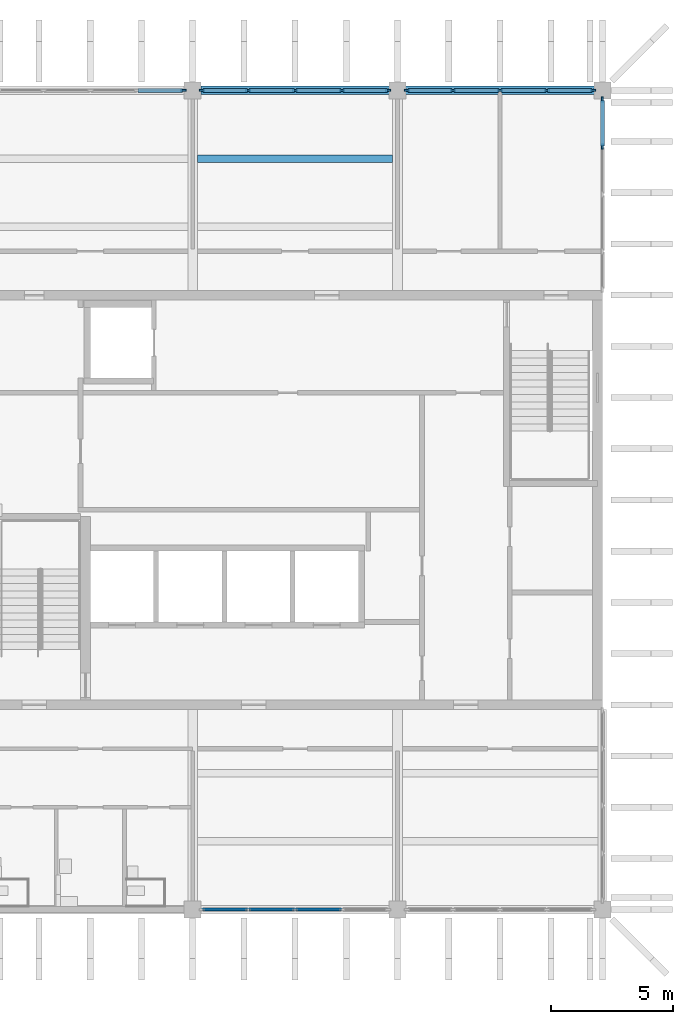
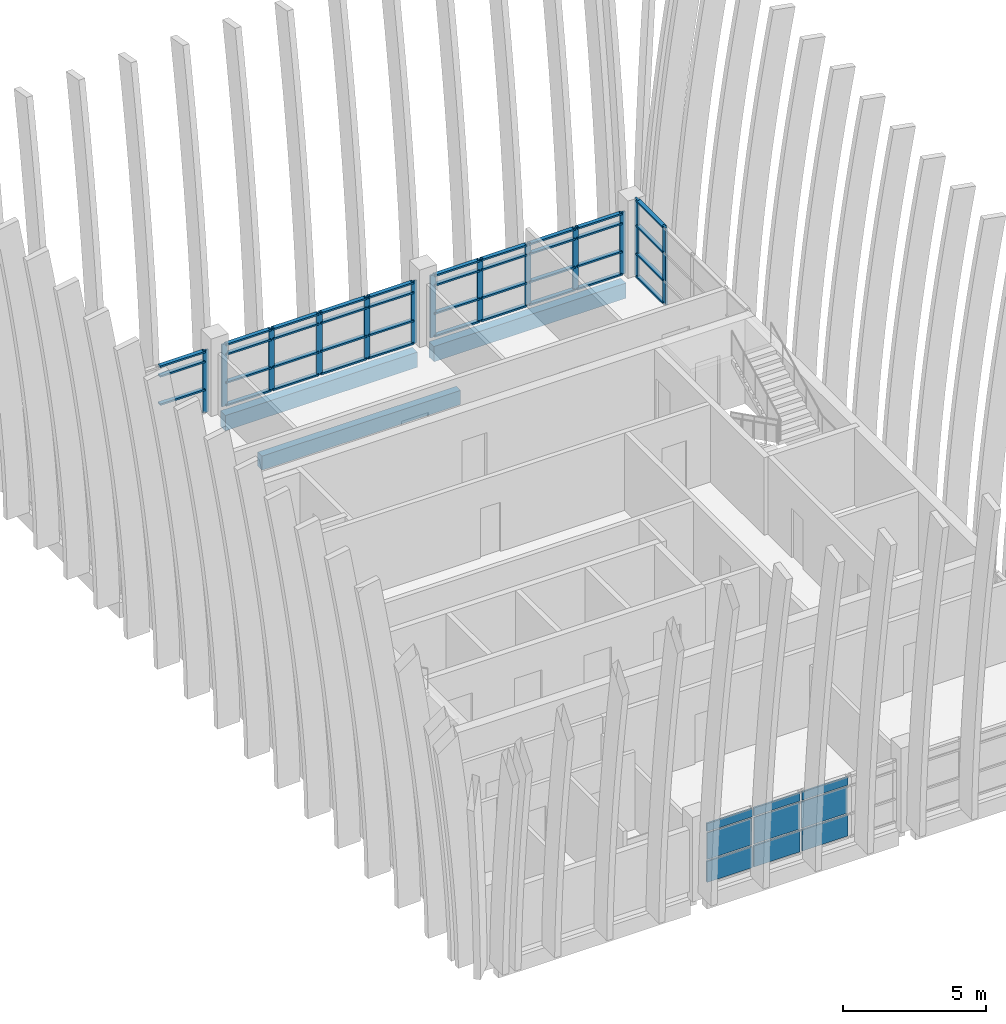
# One storey, part 3 of 19: 52 members, 9 plates, 3 beams, 5 elements without a shape of their own.
"""IFC4 building model written with IfcOpenShell, lengths in metres."""

from ifc_helpers import new_model, si_unit, direction, frame, origin, origin_2d, place, context, subcontext, project, spatial, rectangle, extrude, material, layer, layer_set, material_profile, profile_set, type_object, element, aggregate, save


model = new_model("IFC4")

# Units and contexts
model_context = context("Model", 3, precision=1e-05, world=origin(), true_north=direction((0.0, 1.0)))
body_context = subcontext(model_context, "Body", "Model", "MODEL_VIEW")
ifc_project = project(units=[si_unit("LENGTHUNIT", "METRE"), si_unit("AREAUNIT", "SQUARE_METRE"), si_unit("VOLUMEUNIT", "CUBIC_METRE"), si_unit("PLANEANGLEUNIT", "RADIAN"), si_unit("MASSUNIT", "GRAM", prefix="KILO")], contexts=[model_context])

# Site, building, storey
site_placement = place(None, origin())
site = spatial("IfcSite", under=ifc_project, at=site_placement, CompositionType="ELEMENT")
building_placement = place(site_placement, origin())
building = spatial("IfcBuilding", under=site, at=building_placement, Name="Rulbaag Community and Learning Centre", CompositionType="ELEMENT")
storey_placement = place(building_placement, frame((0.0, 0.0, 57.60009765625)))
storey = spatial("IfcBuildingStorey", under=building, at=storey_placement, Name="L15", CompositionType="ELEMENT", Elevation=57.60009765625)

# Beams
ifc_material_1 = material(Name="Concrete M40", Category="concrete")
ifc_material_profile_1 = material_profile(ifc_material_1, rectangle(XDim=0.35009765625, YDim=0.64990234375, at=origin_2d()), Name="RB350x650")
ifc_profile_set_1 = profile_set([ifc_material_profile_1], Name="Concrete M40")
beam_type_1 = type_object("IfcBeamType", Name="B14 Tower edge beam, upper zone 350x650 Concrete M40", PredefinedType="BEAM", material=ifc_profile_set_1)
for number, where, z_axis, x_axis, name in (
    (1, (151.530029296875, 117.60009765625, -0.625), (1.0, 0.0, 0.0), (0.0, 1.0, 0.0), "BM-L15-19O-20O"),
    (2, (159.929931640625, 117.60009765625, -0.625), (1.0, 0.0, 0.0), (0.0, 1.0, 0.0), "BM-L15-20O-21O"),
):
    element("IfcBeam", number, at=place(storey_placement, frame(where, z_axis=z_axis, x_axis=x_axis)), inside=storey, type_object=beam_type_1, Name=name, PredefinedType="BEAM", context=body_context, shape_type="SweptSolid", body=[
        extrude(rectangle(XDim=0.35009765625, YDim=0.64990234375, at=origin_2d()), origin(), (0.0, 0.0, 1.0), 7.739990234375),
    ])
ifc_material_profile_2 = material_profile(ifc_material_1, rectangle(XDim=0.300048828125, YDim=0.60009765625, at=origin_2d()), Name="RB300x600")
ifc_profile_set_2 = profile_set([ifc_material_profile_2], Name="Concrete M40")
beam_type_2 = type_object("IfcBeamType", Name="B30 Secondary joist 300x600 Concrete M40", PredefinedType="BEAM", material=ifc_profile_set_2)
beam_placement = place(storey_placement, frame((151.39990234375, 114.800048828125, -0.60009765625), z_axis=(1.0, 0.0, 0.0), x_axis=(0.0, 1.0, 0.0)))
element("IfcBeam", 3, at=beam_placement, inside=storey, type_object=beam_type_2, Name="BM-JS-L15-19N-2", PredefinedType="BEAM", context=body_context, shape_type="SweptSolid", body=[
    extrude(rectangle(XDim=0.300048828125, YDim=0.60009765625, at=origin_2d()), origin(), (0.0, 0.0, 1.0), 8.0),
])

# Curtain wall, member
ifc_material_2 = material(Name="Aluminium", Category="aluminium")
ifc_layer_1 = layer(ifc_material_2, 0.14990234375)
ifc_layer_set_1 = layer_set([ifc_layer_1], Name="CW-C")
curtain_wall_type = type_object("IfcCurtainWallType", Name="CW-C", PredefinedType="USERDEFINED", material=ifc_layer_set_1)
curtain_wall_1_placement = place(storey_placement, origin())
curtain_wall_1 = element("IfcCurtainWall", 4, at=curtain_wall_1_placement, inside=storey, type_object=curtain_wall_type, Name="GC-L15-03", ObjectType="UNITISED CURTAIN WALL", PredefinedType="USERDEFINED")
ifc_material_3 = material(Name="Aluminium mullion", Category="aluminium")
ifc_material_profile_3 = material_profile(ifc_material_3, rectangle(XDim=0.070068359375, YDim=0.22509765625, at=origin_2d()), Name="AL 70x225")
ifc_profile_set_3 = profile_set([ifc_material_profile_3], Name="Aluminium mullion")
member_type_1 = type_object("IfcMemberType", Name="CW-C-MUL", PredefinedType="MULLION", material=ifc_profile_set_3)
member_1_placement = place(storey_placement, frame((150.81494140625, 117.60009765625, 0.0), z_axis=(0.0, 0.0, 1.0), x_axis=(0.0, 1.0, 0.0)))
member_1 = element("IfcMember", 5, at=member_1_placement, type_object=member_type_1, Name="GC mullion 5", PredefinedType="MULLION", context=body_context, shape_type="SweptSolid", body=[
    extrude(rectangle(XDim=0.070068359375, YDim=0.22509765625, at=origin_2d()), origin(), (0.0, 0.0, 1.0), 2.64990234375),
])

# Curtain wall, members
curtain_wall_2_placement = place(storey_placement, origin())
curtain_wall_2 = element("IfcCurtainWall", 6, at=curtain_wall_2_placement, inside=storey, type_object=curtain_wall_type, Name="GC-L15-04", ObjectType="UNITISED CURTAIN WALL", PredefinedType="USERDEFINED")
member_2_placement = place(storey_placement, frame((151.5849609375, 117.60009765625, 0.0), z_axis=(0.0, 0.0, 1.0), x_axis=(0.0, 1.0, 0.0)))
member_2 = element("IfcMember", 7, at=member_2_placement, type_object=member_type_1, Name="GC mullion 1", PredefinedType="MULLION", context=body_context, shape_type="SweptSolid", body=[
    extrude(rectangle(XDim=0.070068359375, YDim=0.22509765625, at=origin_2d()), origin(), (0.0, 0.0, 1.0), 2.64990234375),
])
member_3_placement = place(storey_placement, frame((153.47509765625, 117.60009765625, 0.0), z_axis=(0.0, 0.0, 1.0), x_axis=(0.0, 1.0, 0.0)))
member_3 = element("IfcMember", 8, at=member_3_placement, type_object=member_type_1, Name="GC mullion 2", PredefinedType="MULLION", context=body_context, shape_type="SweptSolid", body=[
    extrude(rectangle(XDim=0.070068359375, YDim=0.22509765625, at=origin_2d()), origin(), (0.0, 0.0, 1.0), 2.64990234375),
])
member_4_placement = place(storey_placement, frame((155.39990234375, 117.60009765625, 0.0), z_axis=(0.0, 0.0, 1.0), x_axis=(0.0, 1.0, 0.0)))
member_4 = element("IfcMember", 9, at=member_4_placement, type_object=member_type_1, Name="GC mullion 3", PredefinedType="MULLION", context=body_context, shape_type="SweptSolid", body=[
    extrude(rectangle(XDim=0.070068359375, YDim=0.22509765625, at=origin_2d()), origin(), (0.0, 0.0, 1.0), 2.64990234375),
])
member_5_placement = place(storey_placement, frame((157.324951171875, 117.60009765625, 0.0), z_axis=(0.0, 0.0, 1.0), x_axis=(0.0, 1.0, 0.0)))
member_5 = element("IfcMember", 10, at=member_5_placement, type_object=member_type_1, Name="GC mullion 4", PredefinedType="MULLION", context=body_context, shape_type="SweptSolid", body=[
    extrude(rectangle(XDim=0.070068359375, YDim=0.22509765625, at=origin_2d()), origin(), (0.0, 0.0, 1.0), 2.64990234375),
])
member_6_placement = place(storey_placement, frame((159.215087890625, 117.60009765625, 0.0), z_axis=(0.0, 0.0, 1.0), x_axis=(0.0, 1.0, 0.0)))
member_6 = element("IfcMember", 11, at=member_6_placement, type_object=member_type_1, Name="GC mullion 5", PredefinedType="MULLION", context=body_context, shape_type="SweptSolid", body=[
    extrude(rectangle(XDim=0.070068359375, YDim=0.22509765625, at=origin_2d()), origin(), (0.0, 0.0, 1.0), 2.64990234375),
])

curtain_wall_3_placement = place(storey_placement, origin())
curtain_wall_3 = element("IfcCurtainWall", 12, at=curtain_wall_3_placement, inside=storey, type_object=curtain_wall_type, Name="GC-L15-05", ObjectType="UNITISED CURTAIN WALL", PredefinedType="USERDEFINED")
member_7_placement = place(storey_placement, frame((159.985107421875, 117.60009765625, 0.0), z_axis=(0.0, 0.0, 1.0), x_axis=(0.0, 1.0, 0.0)))
member_7 = element("IfcMember", 13, at=member_7_placement, type_object=member_type_1, Name="GC mullion 1", PredefinedType="MULLION", context=body_context, shape_type="SweptSolid", body=[
    extrude(rectangle(XDim=0.070068359375, YDim=0.22509765625, at=origin_2d()), origin(), (0.0, 0.0, 1.0), 2.64990234375),
])
member_8_placement = place(storey_placement, frame((161.875, 117.60009765625, 0.0), z_axis=(0.0, 0.0, 1.0), x_axis=(0.0, 1.0, 0.0)))
member_8 = element("IfcMember", 14, at=member_8_placement, type_object=member_type_1, Name="GC mullion 2", PredefinedType="MULLION", context=body_context, shape_type="SweptSolid", body=[
    extrude(rectangle(XDim=0.070068359375, YDim=0.22509765625, at=origin_2d()), origin(), (0.0, 0.0, 1.0), 2.64990234375),
])
member_9_placement = place(storey_placement, frame((163.800048828125, 117.60009765625, 0.0), z_axis=(0.0, 0.0, 1.0), x_axis=(0.0, 1.0, 0.0)))
member_9 = element("IfcMember", 15, at=member_9_placement, type_object=member_type_1, Name="GC mullion 3", PredefinedType="MULLION", context=body_context, shape_type="SweptSolid", body=[
    extrude(rectangle(XDim=0.070068359375, YDim=0.22509765625, at=origin_2d()), origin(), (0.0, 0.0, 1.0), 2.64990234375),
])
member_10_placement = place(storey_placement, frame((165.72509765625, 117.60009765625, 0.0), z_axis=(0.0, 0.0, 1.0), x_axis=(0.0, 1.0, 0.0)))
member_10 = element("IfcMember", 16, at=member_10_placement, type_object=member_type_1, Name="GC mullion 4", PredefinedType="MULLION", context=body_context, shape_type="SweptSolid", body=[
    extrude(rectangle(XDim=0.070068359375, YDim=0.22509765625, at=origin_2d()), origin(), (0.0, 0.0, 1.0), 2.64990234375),
])
member_11_placement = place(storey_placement, frame((167.614990234375, 117.60009765625, 0.0), z_axis=(0.0, 0.0, 1.0), x_axis=(0.0, 1.0, 0.0)))
member_11 = element("IfcMember", 17, at=member_11_placement, type_object=member_type_1, Name="GC mullion 5", PredefinedType="MULLION", context=body_context, shape_type="SweptSolid", body=[
    extrude(rectangle(XDim=0.070068359375, YDim=0.22509765625, at=origin_2d()), origin(), (0.0, 0.0, 1.0), 2.64990234375),
])

curtain_wall_4_placement = place(storey_placement, origin())
curtain_wall_4 = element("IfcCurtainWall", 18, at=curtain_wall_4_placement, inside=storey, type_object=curtain_wall_type, Name="GC-L15-08", ObjectType="UNITISED CURTAIN WALL", PredefinedType="USERDEFINED")
member_12_placement = place(storey_placement, frame((168.0, 115.28759765625, 0.0), z_axis=(0.0, 0.0, 1.0), x_axis=(-1.0, 0.0, 0.0)))
member_12 = element("IfcMember", 19, at=member_12_placement, type_object=member_type_1, Name="GC mullion 4", PredefinedType="MULLION", context=body_context, shape_type="SweptSolid", body=[
    extrude(rectangle(XDim=0.070068359375, YDim=0.22509765625, at=origin_2d()), origin(), (0.0, 0.0, 1.0), 3.2998046875),
])
member_13_placement = place(storey_placement, frame((168.0, 117.215087890625, 0.0), z_axis=(0.0, 0.0, 1.0), x_axis=(-1.0, 0.0, 0.0)))
member_13 = element("IfcMember", 20, at=member_13_placement, type_object=member_type_1, Name="GC mullion 5", PredefinedType="MULLION", context=body_context, shape_type="SweptSolid", body=[
    extrude(rectangle(XDim=0.070068359375, YDim=0.22509765625, at=origin_2d()), origin(), (0.0, 0.0, 1.0), 3.2998046875),
])

# Member
ifc_material_4 = material(Name="Aluminium transom", Category="aluminium")
ifc_material_profile_4 = material_profile(ifc_material_4, rectangle(XDim=0.159912109375, YDim=0.070068359375, at=origin_2d()), Name="AL 70x160 T")
ifc_profile_set_4 = profile_set([ifc_material_profile_4], Name="Aluminium transom")
member_type_2 = type_object("IfcMemberType", Name="CW-C-TRN", PredefinedType="USERDEFINED", material=ifc_profile_set_4)
member_14_placement = place(storey_placement, frame((148.9599609375, 117.60009765625, 1.0), z_axis=(1.0, 0.0, 0.0), x_axis=(0.0, 1.0, 0.0)))
member_14 = element("IfcMember", 21, at=member_14_placement, type_object=member_type_2, Name="GC transom 4.2", ObjectType="TRANSOM", PredefinedType="USERDEFINED", context=body_context, shape_type="SweptSolid", body=[
    extrude(rectangle(XDim=0.159912109375, YDim=0.070068359375, at=origin_2d()), origin(), (0.0, 0.0, 1.0), 1.820068359375),
])

member_15_placement = place(storey_placement, frame((148.9599609375, 117.60009765625, 2.199951171875), z_axis=(1.0, 0.0, 0.0), x_axis=(0.0, 1.0, 0.0)))
member_15 = element("IfcMember", 22, at=member_15_placement, type_object=member_type_2, Name="GC transom 4.3", ObjectType="TRANSOM", PredefinedType="USERDEFINED", context=body_context, shape_type="SweptSolid", body=[
    extrude(rectangle(XDim=0.159912109375, YDim=0.070068359375, at=origin_2d()), origin(), (0.0, 0.0, 1.0), 1.820068359375),
])

member_16_placement = place(storey_placement, frame((148.9599609375, 117.60009765625, 2.614990234375), z_axis=(1.0, 0.0, 0.0), x_axis=(0.0, 1.0, 0.0)))
member_16 = element("IfcMember", 23, at=member_16_placement, type_object=member_type_2, Name="GC transom 4.4", ObjectType="TRANSOM", PredefinedType="USERDEFINED", context=body_context, shape_type="SweptSolid", body=[
    extrude(rectangle(XDim=0.159912109375, YDim=0.070068359375, at=origin_2d()), origin(), (0.0, 0.0, 1.0), 1.820068359375),
])

aggregate(curtain_wall_1, [member_1, member_14, member_15, member_16])

member_17_placement = place(storey_placement, frame((151.6201171875, 117.60009765625, 0.034912109375), z_axis=(1.0, 0.0, 0.0), x_axis=(0.0, 1.0, 0.0)))
member_17 = element("IfcMember", 24, at=member_17_placement, type_object=member_type_2, Name="GC transom 1.1", ObjectType="TRANSOM", PredefinedType="USERDEFINED", context=body_context, shape_type="SweptSolid", body=[
    extrude(rectangle(XDim=0.159912109375, YDim=0.070068359375, at=origin_2d()), origin(), (0.0, 0.0, 1.0), 1.81982421875),
])

member_18_placement = place(storey_placement, frame((151.6201171875, 117.60009765625, 1.0), z_axis=(1.0, 0.0, 0.0), x_axis=(0.0, 1.0, 0.0)))
member_18 = element("IfcMember", 25, at=member_18_placement, type_object=member_type_2, Name="GC transom 1.2", ObjectType="TRANSOM", PredefinedType="USERDEFINED", context=body_context, shape_type="SweptSolid", body=[
    extrude(rectangle(XDim=0.159912109375, YDim=0.070068359375, at=origin_2d()), origin(), (0.0, 0.0, 1.0), 1.81982421875),
])

member_19_placement = place(storey_placement, frame((151.6201171875, 117.60009765625, 2.199951171875), z_axis=(1.0, 0.0, 0.0), x_axis=(0.0, 1.0, 0.0)))
member_19 = element("IfcMember", 26, at=member_19_placement, type_object=member_type_2, Name="GC transom 1.3", ObjectType="TRANSOM", PredefinedType="USERDEFINED", context=body_context, shape_type="SweptSolid", body=[
    extrude(rectangle(XDim=0.159912109375, YDim=0.070068359375, at=origin_2d()), origin(), (0.0, 0.0, 1.0), 1.81982421875),
])

member_20_placement = place(storey_placement, frame((151.6201171875, 117.60009765625, 2.614990234375), z_axis=(1.0, 0.0, 0.0), x_axis=(0.0, 1.0, 0.0)))
member_20 = element("IfcMember", 27, at=member_20_placement, type_object=member_type_2, Name="GC transom 1.4", ObjectType="TRANSOM", PredefinedType="USERDEFINED", context=body_context, shape_type="SweptSolid", body=[
    extrude(rectangle(XDim=0.159912109375, YDim=0.070068359375, at=origin_2d()), origin(), (0.0, 0.0, 1.0), 1.81982421875),
])

member_21_placement = place(storey_placement, frame((153.510009765625, 117.60009765625, 0.034912109375), z_axis=(1.0, 0.0, 0.0), x_axis=(0.0, 1.0, 0.0)))
member_21 = element("IfcMember", 28, at=member_21_placement, type_object=member_type_2, Name="GC transom 2.1", ObjectType="TRANSOM", PredefinedType="USERDEFINED", context=body_context, shape_type="SweptSolid", body=[
    extrude(rectangle(XDim=0.159912109375, YDim=0.070068359375, at=origin_2d()), origin(), (0.0, 0.0, 1.0), 1.85498046875),
])

member_22_placement = place(storey_placement, frame((153.510009765625, 117.60009765625, 1.0), z_axis=(1.0, 0.0, 0.0), x_axis=(0.0, 1.0, 0.0)))
member_22 = element("IfcMember", 29, at=member_22_placement, type_object=member_type_2, Name="GC transom 2.2", ObjectType="TRANSOM", PredefinedType="USERDEFINED", context=body_context, shape_type="SweptSolid", body=[
    extrude(rectangle(XDim=0.159912109375, YDim=0.070068359375, at=origin_2d()), origin(), (0.0, 0.0, 1.0), 1.85498046875),
])

member_23_placement = place(storey_placement, frame((153.510009765625, 117.60009765625, 2.199951171875), z_axis=(1.0, 0.0, 0.0), x_axis=(0.0, 1.0, 0.0)))
member_23 = element("IfcMember", 30, at=member_23_placement, type_object=member_type_2, Name="GC transom 2.3", ObjectType="TRANSOM", PredefinedType="USERDEFINED", context=body_context, shape_type="SweptSolid", body=[
    extrude(rectangle(XDim=0.159912109375, YDim=0.070068359375, at=origin_2d()), origin(), (0.0, 0.0, 1.0), 1.85498046875),
])

member_24_placement = place(storey_placement, frame((153.510009765625, 117.60009765625, 2.614990234375), z_axis=(1.0, 0.0, 0.0), x_axis=(0.0, 1.0, 0.0)))
member_24 = element("IfcMember", 31, at=member_24_placement, type_object=member_type_2, Name="GC transom 2.4", ObjectType="TRANSOM", PredefinedType="USERDEFINED", context=body_context, shape_type="SweptSolid", body=[
    extrude(rectangle(XDim=0.159912109375, YDim=0.070068359375, at=origin_2d()), origin(), (0.0, 0.0, 1.0), 1.85498046875),
])

member_25_placement = place(storey_placement, frame((155.43505859375, 117.60009765625, 0.034912109375), z_axis=(1.0, 0.0, 0.0), x_axis=(0.0, 1.0, 0.0)))
member_25 = element("IfcMember", 32, at=member_25_placement, type_object=member_type_2, Name="GC transom 3.1", ObjectType="TRANSOM", PredefinedType="USERDEFINED", context=body_context, shape_type="SweptSolid", body=[
    extrude(rectangle(XDim=0.159912109375, YDim=0.070068359375, at=origin_2d()), origin(), (0.0, 0.0, 1.0), 1.85498046875),
])

member_26_placement = place(storey_placement, frame((155.43505859375, 117.60009765625, 1.0), z_axis=(1.0, 0.0, 0.0), x_axis=(0.0, 1.0, 0.0)))
member_26 = element("IfcMember", 33, at=member_26_placement, type_object=member_type_2, Name="GC transom 3.2", ObjectType="TRANSOM", PredefinedType="USERDEFINED", context=body_context, shape_type="SweptSolid", body=[
    extrude(rectangle(XDim=0.159912109375, YDim=0.070068359375, at=origin_2d()), origin(), (0.0, 0.0, 1.0), 1.85498046875),
])

member_27_placement = place(storey_placement, frame((155.43505859375, 117.60009765625, 2.199951171875), z_axis=(1.0, 0.0, 0.0), x_axis=(0.0, 1.0, 0.0)))
member_27 = element("IfcMember", 34, at=member_27_placement, type_object=member_type_2, Name="GC transom 3.3", ObjectType="TRANSOM", PredefinedType="USERDEFINED", context=body_context, shape_type="SweptSolid", body=[
    extrude(rectangle(XDim=0.159912109375, YDim=0.070068359375, at=origin_2d()), origin(), (0.0, 0.0, 1.0), 1.85498046875),
])

member_28_placement = place(storey_placement, frame((155.43505859375, 117.60009765625, 2.614990234375), z_axis=(1.0, 0.0, 0.0), x_axis=(0.0, 1.0, 0.0)))
member_28 = element("IfcMember", 35, at=member_28_placement, type_object=member_type_2, Name="GC transom 3.4", ObjectType="TRANSOM", PredefinedType="USERDEFINED", context=body_context, shape_type="SweptSolid", body=[
    extrude(rectangle(XDim=0.159912109375, YDim=0.070068359375, at=origin_2d()), origin(), (0.0, 0.0, 1.0), 1.85498046875),
])

member_29_placement = place(storey_placement, frame((157.360107421875, 117.60009765625, 0.034912109375), z_axis=(1.0, 0.0, 0.0), x_axis=(0.0, 1.0, 0.0)))
member_29 = element("IfcMember", 36, at=member_29_placement, type_object=member_type_2, Name="GC transom 4.1", ObjectType="TRANSOM", PredefinedType="USERDEFINED", context=body_context, shape_type="SweptSolid", body=[
    extrude(rectangle(XDim=0.159912109375, YDim=0.070068359375, at=origin_2d()), origin(), (0.0, 0.0, 1.0), 1.81982421875),
])

member_30_placement = place(storey_placement, frame((157.360107421875, 117.60009765625, 1.0), z_axis=(1.0, 0.0, 0.0), x_axis=(0.0, 1.0, 0.0)))
member_30 = element("IfcMember", 37, at=member_30_placement, type_object=member_type_2, Name="GC transom 4.2", ObjectType="TRANSOM", PredefinedType="USERDEFINED", context=body_context, shape_type="SweptSolid", body=[
    extrude(rectangle(XDim=0.159912109375, YDim=0.070068359375, at=origin_2d()), origin(), (0.0, 0.0, 1.0), 1.81982421875),
])

member_31_placement = place(storey_placement, frame((157.360107421875, 117.60009765625, 2.199951171875), z_axis=(1.0, 0.0, 0.0), x_axis=(0.0, 1.0, 0.0)))
member_31 = element("IfcMember", 38, at=member_31_placement, type_object=member_type_2, Name="GC transom 4.3", ObjectType="TRANSOM", PredefinedType="USERDEFINED", context=body_context, shape_type="SweptSolid", body=[
    extrude(rectangle(XDim=0.159912109375, YDim=0.070068359375, at=origin_2d()), origin(), (0.0, 0.0, 1.0), 1.81982421875),
])

member_32_placement = place(storey_placement, frame((157.360107421875, 117.60009765625, 2.614990234375), z_axis=(1.0, 0.0, 0.0), x_axis=(0.0, 1.0, 0.0)))
member_32 = element("IfcMember", 39, at=member_32_placement, type_object=member_type_2, Name="GC transom 4.4", ObjectType="TRANSOM", PredefinedType="USERDEFINED", context=body_context, shape_type="SweptSolid", body=[
    extrude(rectangle(XDim=0.159912109375, YDim=0.070068359375, at=origin_2d()), origin(), (0.0, 0.0, 1.0), 1.81982421875),
])

aggregate(curtain_wall_2, [member_2, member_3, member_4, member_5, member_6, member_17, member_18, member_19, member_20, member_21, member_22, member_23, member_24, member_25, member_26, member_27, member_28, member_29, member_30, member_31, member_32])

member_33_placement = place(storey_placement, frame((160.02001953125, 117.60009765625, 0.034912109375), z_axis=(1.0, 0.0, 0.0), x_axis=(0.0, 1.0, 0.0)))
member_33 = element("IfcMember", 40, at=member_33_placement, type_object=member_type_2, Name="GC transom 1.1", ObjectType="TRANSOM", PredefinedType="USERDEFINED", context=body_context, shape_type="SweptSolid", body=[
    extrude(rectangle(XDim=0.159912109375, YDim=0.070068359375, at=origin_2d()), origin(), (0.0, 0.0, 1.0), 1.820068359375),
])

member_34_placement = place(storey_placement, frame((160.02001953125, 117.60009765625, 1.0), z_axis=(1.0, 0.0, 0.0), x_axis=(0.0, 1.0, 0.0)))
member_34 = element("IfcMember", 41, at=member_34_placement, type_object=member_type_2, Name="GC transom 1.2", ObjectType="TRANSOM", PredefinedType="USERDEFINED", context=body_context, shape_type="SweptSolid", body=[
    extrude(rectangle(XDim=0.159912109375, YDim=0.070068359375, at=origin_2d()), origin(), (0.0, 0.0, 1.0), 1.820068359375),
])

member_35_placement = place(storey_placement, frame((160.02001953125, 117.60009765625, 2.199951171875), z_axis=(1.0, 0.0, 0.0), x_axis=(0.0, 1.0, 0.0)))
member_35 = element("IfcMember", 42, at=member_35_placement, type_object=member_type_2, Name="GC transom 1.3", ObjectType="TRANSOM", PredefinedType="USERDEFINED", context=body_context, shape_type="SweptSolid", body=[
    extrude(rectangle(XDim=0.159912109375, YDim=0.070068359375, at=origin_2d()), origin(), (0.0, 0.0, 1.0), 1.820068359375),
])

member_36_placement = place(storey_placement, frame((160.02001953125, 117.60009765625, 2.614990234375), z_axis=(1.0, 0.0, 0.0), x_axis=(0.0, 1.0, 0.0)))
member_36 = element("IfcMember", 43, at=member_36_placement, type_object=member_type_2, Name="GC transom 1.4", ObjectType="TRANSOM", PredefinedType="USERDEFINED", context=body_context, shape_type="SweptSolid", body=[
    extrude(rectangle(XDim=0.159912109375, YDim=0.070068359375, at=origin_2d()), origin(), (0.0, 0.0, 1.0), 1.820068359375),
])

member_37_placement = place(storey_placement, frame((161.909912109375, 117.60009765625, 0.034912109375), z_axis=(1.0, 0.0, 0.0), x_axis=(0.0, 1.0, 0.0)))
member_37 = element("IfcMember", 44, at=member_37_placement, type_object=member_type_2, Name="GC transom 2.1", ObjectType="TRANSOM", PredefinedType="USERDEFINED", context=body_context, shape_type="SweptSolid", body=[
    extrude(rectangle(XDim=0.159912109375, YDim=0.070068359375, at=origin_2d()), origin(), (0.0, 0.0, 1.0), 1.85498046875),
])

member_38_placement = place(storey_placement, frame((161.909912109375, 117.60009765625, 1.0), z_axis=(1.0, 0.0, 0.0), x_axis=(0.0, 1.0, 0.0)))
member_38 = element("IfcMember", 45, at=member_38_placement, type_object=member_type_2, Name="GC transom 2.2", ObjectType="TRANSOM", PredefinedType="USERDEFINED", context=body_context, shape_type="SweptSolid", body=[
    extrude(rectangle(XDim=0.159912109375, YDim=0.070068359375, at=origin_2d()), origin(), (0.0, 0.0, 1.0), 1.85498046875),
])

member_39_placement = place(storey_placement, frame((161.909912109375, 117.60009765625, 2.199951171875), z_axis=(1.0, 0.0, 0.0), x_axis=(0.0, 1.0, 0.0)))
member_39 = element("IfcMember", 46, at=member_39_placement, type_object=member_type_2, Name="GC transom 2.3", ObjectType="TRANSOM", PredefinedType="USERDEFINED", context=body_context, shape_type="SweptSolid", body=[
    extrude(rectangle(XDim=0.159912109375, YDim=0.070068359375, at=origin_2d()), origin(), (0.0, 0.0, 1.0), 1.85498046875),
])

member_40_placement = place(storey_placement, frame((161.909912109375, 117.60009765625, 2.614990234375), z_axis=(1.0, 0.0, 0.0), x_axis=(0.0, 1.0, 0.0)))
member_40 = element("IfcMember", 47, at=member_40_placement, type_object=member_type_2, Name="GC transom 2.4", ObjectType="TRANSOM", PredefinedType="USERDEFINED", context=body_context, shape_type="SweptSolid", body=[
    extrude(rectangle(XDim=0.159912109375, YDim=0.070068359375, at=origin_2d()), origin(), (0.0, 0.0, 1.0), 1.85498046875),
])

member_41_placement = place(storey_placement, frame((163.8349609375, 117.60009765625, 0.034912109375), z_axis=(1.0, 0.0, 0.0), x_axis=(0.0, 1.0, 0.0)))
member_41 = element("IfcMember", 48, at=member_41_placement, type_object=member_type_2, Name="GC transom 3.1", ObjectType="TRANSOM", PredefinedType="USERDEFINED", context=body_context, shape_type="SweptSolid", body=[
    extrude(rectangle(XDim=0.159912109375, YDim=0.070068359375, at=origin_2d()), origin(), (0.0, 0.0, 1.0), 1.85498046875),
])

member_42_placement = place(storey_placement, frame((163.8349609375, 117.60009765625, 1.0), z_axis=(1.0, 0.0, 0.0), x_axis=(0.0, 1.0, 0.0)))
member_42 = element("IfcMember", 49, at=member_42_placement, type_object=member_type_2, Name="GC transom 3.2", ObjectType="TRANSOM", PredefinedType="USERDEFINED", context=body_context, shape_type="SweptSolid", body=[
    extrude(rectangle(XDim=0.159912109375, YDim=0.070068359375, at=origin_2d()), origin(), (0.0, 0.0, 1.0), 1.85498046875),
])

member_43_placement = place(storey_placement, frame((163.8349609375, 117.60009765625, 2.199951171875), z_axis=(1.0, 0.0, 0.0), x_axis=(0.0, 1.0, 0.0)))
member_43 = element("IfcMember", 50, at=member_43_placement, type_object=member_type_2, Name="GC transom 3.3", ObjectType="TRANSOM", PredefinedType="USERDEFINED", context=body_context, shape_type="SweptSolid", body=[
    extrude(rectangle(XDim=0.159912109375, YDim=0.070068359375, at=origin_2d()), origin(), (0.0, 0.0, 1.0), 1.85498046875),
])

member_44_placement = place(storey_placement, frame((163.8349609375, 117.60009765625, 2.614990234375), z_axis=(1.0, 0.0, 0.0), x_axis=(0.0, 1.0, 0.0)))
member_44 = element("IfcMember", 51, at=member_44_placement, type_object=member_type_2, Name="GC transom 3.4", ObjectType="TRANSOM", PredefinedType="USERDEFINED", context=body_context, shape_type="SweptSolid", body=[
    extrude(rectangle(XDim=0.159912109375, YDim=0.070068359375, at=origin_2d()), origin(), (0.0, 0.0, 1.0), 1.85498046875),
])

member_45_placement = place(storey_placement, frame((165.760009765625, 117.60009765625, 0.034912109375), z_axis=(1.0, 0.0, 0.0), x_axis=(0.0, 1.0, 0.0)))
member_45 = element("IfcMember", 52, at=member_45_placement, type_object=member_type_2, Name="GC transom 4.1", ObjectType="TRANSOM", PredefinedType="USERDEFINED", context=body_context, shape_type="SweptSolid", body=[
    extrude(rectangle(XDim=0.159912109375, YDim=0.070068359375, at=origin_2d()), origin(), (0.0, 0.0, 1.0), 1.820068359375),
])

member_46_placement = place(storey_placement, frame((165.760009765625, 117.60009765625, 1.0), z_axis=(1.0, 0.0, 0.0), x_axis=(0.0, 1.0, 0.0)))
member_46 = element("IfcMember", 53, at=member_46_placement, type_object=member_type_2, Name="GC transom 4.2", ObjectType="TRANSOM", PredefinedType="USERDEFINED", context=body_context, shape_type="SweptSolid", body=[
    extrude(rectangle(XDim=0.159912109375, YDim=0.070068359375, at=origin_2d()), origin(), (0.0, 0.0, 1.0), 1.820068359375),
])

member_47_placement = place(storey_placement, frame((165.760009765625, 117.60009765625, 2.199951171875), z_axis=(1.0, 0.0, 0.0), x_axis=(0.0, 1.0, 0.0)))
member_47 = element("IfcMember", 54, at=member_47_placement, type_object=member_type_2, Name="GC transom 4.3", ObjectType="TRANSOM", PredefinedType="USERDEFINED", context=body_context, shape_type="SweptSolid", body=[
    extrude(rectangle(XDim=0.159912109375, YDim=0.070068359375, at=origin_2d()), origin(), (0.0, 0.0, 1.0), 1.820068359375),
])

member_48_placement = place(storey_placement, frame((165.760009765625, 117.60009765625, 2.614990234375), z_axis=(1.0, 0.0, 0.0), x_axis=(0.0, 1.0, 0.0)))
member_48 = element("IfcMember", 55, at=member_48_placement, type_object=member_type_2, Name="GC transom 4.4", ObjectType="TRANSOM", PredefinedType="USERDEFINED", context=body_context, shape_type="SweptSolid", body=[
    extrude(rectangle(XDim=0.159912109375, YDim=0.070068359375, at=origin_2d()), origin(), (0.0, 0.0, 1.0), 1.820068359375),
])

aggregate(curtain_wall_3, [member_7, member_8, member_9, member_10, member_11, member_33, member_34, member_35, member_36, member_37, member_38, member_39, member_40, member_41, member_42, member_43, member_44, member_45, member_46, member_47, member_48])

member_49_placement = place(storey_placement, frame((168.0, 115.322509765625, 0.034912109375), z_axis=(0.0, 1.0, 0.0), x_axis=(-1.0, 0.0, 0.0)))
member_49 = element("IfcMember", 56, at=member_49_placement, type_object=member_type_2, Name="GC transom 4.1", ObjectType="TRANSOM", PredefinedType="USERDEFINED", context=body_context, shape_type="SweptSolid", body=[
    extrude(rectangle(XDim=0.159912109375, YDim=0.070068359375, at=origin_2d()), origin(), (0.0, 0.0, 1.0), 1.857421875),
])

member_50_placement = place(storey_placement, frame((168.0, 115.322509765625, 1.0), z_axis=(0.0, 1.0, 0.0), x_axis=(-1.0, 0.0, 0.0)))
member_50 = element("IfcMember", 57, at=member_50_placement, type_object=member_type_2, Name="GC transom 4.2", ObjectType="TRANSOM", PredefinedType="USERDEFINED", context=body_context, shape_type="SweptSolid", body=[
    extrude(rectangle(XDim=0.159912109375, YDim=0.070068359375, at=origin_2d()), origin(), (0.0, 0.0, 1.0), 1.857421875),
])

member_51_placement = place(storey_placement, frame((168.0, 115.322509765625, 2.199951171875), z_axis=(0.0, 1.0, 0.0), x_axis=(-1.0, 0.0, 0.0)))
member_51 = element("IfcMember", 58, at=member_51_placement, type_object=member_type_2, Name="GC transom 4.3", ObjectType="TRANSOM", PredefinedType="USERDEFINED", context=body_context, shape_type="SweptSolid", body=[
    extrude(rectangle(XDim=0.159912109375, YDim=0.070068359375, at=origin_2d()), origin(), (0.0, 0.0, 1.0), 1.857421875),
])

member_52_placement = place(storey_placement, frame((168.0, 115.322509765625, 3.264892578125), z_axis=(0.0, 1.0, 0.0), x_axis=(-1.0, 0.0, 0.0)))
member_52 = element("IfcMember", 59, at=member_52_placement, type_object=member_type_2, Name="GC transom 4.4", ObjectType="TRANSOM", PredefinedType="USERDEFINED", context=body_context, shape_type="SweptSolid", body=[
    extrude(rectangle(XDim=0.159912109375, YDim=0.070068359375, at=origin_2d()), origin(), (0.0, 0.0, 1.0), 1.857421875),
])

aggregate(curtain_wall_4, [member_12, member_13, member_49, member_50, member_51, member_52])

# Curtain wall, plates
curtain_wall_5_placement = place(storey_placement, origin())
curtain_wall_5 = element("IfcCurtainWall", 60, at=curtain_wall_5_placement, inside=storey, type_object=curtain_wall_type, Name="GC-L15-01", ObjectType="UNITISED CURTAIN WALL", PredefinedType="USERDEFINED")
ifc_layer_2 = layer(ifc_material_2, 0.070068359375)
ifc_layer_set_2 = layer_set([ifc_layer_2], Name="CW-C-SPN")
plate_type_1 = type_object("IfcPlateType", Name="CW-C-SPN", PredefinedType="CURTAIN_PANEL", material=ifc_layer_set_2)
plate_1_placement = place(storey_placement, frame((152.530029296875, 84.0, 0.06982421875), z_axis=(0.0, 0.0, 1.0), x_axis=(1.0, 0.0, 0.0)))
plate_1 = element("IfcPlate", 61, at=plate_1_placement, type_object=plate_type_1, Name="GC spandrel panel", PredefinedType="CURTAIN_PANEL", context=body_context, shape_type="SweptSolid", body=[
    extrude(rectangle(XDim=1.820068359375, YDim=0.070068359375, at=origin_2d()), origin(), (0.0, 0.0, 1.0), 0.89501953125),
])
plate_2_placement = place(storey_placement, frame((152.530029296875, 84.0, 2.23486328125), z_axis=(0.0, 0.0, 1.0), x_axis=(1.0, 0.0, 0.0)))
plate_2 = element("IfcPlate", 62, at=plate_2_placement, type_object=plate_type_1, Name="GC spandrel panel", PredefinedType="CURTAIN_PANEL", context=body_context, shape_type="SweptSolid", body=[
    extrude(rectangle(XDim=1.820068359375, YDim=0.070068359375, at=origin_2d()), origin(), (0.0, 0.0, 1.0), 0.344970703125),
])
plate_3_placement = place(storey_placement, frame((154.4375, 84.0, 0.06982421875), z_axis=(0.0, 0.0, 1.0), x_axis=(1.0, 0.0, 0.0)))
plate_3 = element("IfcPlate", 63, at=plate_3_placement, type_object=plate_type_1, Name="GC spandrel panel", PredefinedType="CURTAIN_PANEL", context=body_context, shape_type="SweptSolid", body=[
    extrude(rectangle(XDim=1.85498046875, YDim=0.070068359375, at=origin_2d()), origin(), (0.0, 0.0, 1.0), 0.89501953125),
])
plate_4_placement = place(storey_placement, frame((154.4375, 84.0, 2.23486328125), z_axis=(0.0, 0.0, 1.0), x_axis=(1.0, 0.0, 0.0)))
plate_4 = element("IfcPlate", 64, at=plate_4_placement, type_object=plate_type_1, Name="GC spandrel panel", PredefinedType="CURTAIN_PANEL", context=body_context, shape_type="SweptSolid", body=[
    extrude(rectangle(XDim=1.85498046875, YDim=0.070068359375, at=origin_2d()), origin(), (0.0, 0.0, 1.0), 0.344970703125),
])
plate_5_placement = place(storey_placement, frame((156.362548828125, 84.0, 0.06982421875), z_axis=(0.0, 0.0, 1.0), x_axis=(1.0, 0.0, 0.0)))
plate_5 = element("IfcPlate", 65, at=plate_5_placement, type_object=plate_type_1, Name="GC spandrel panel", PredefinedType="CURTAIN_PANEL", context=body_context, shape_type="SweptSolid", body=[
    extrude(rectangle(XDim=1.85498046875, YDim=0.070068359375, at=origin_2d()), origin(), (0.0, 0.0, 1.0), 0.89501953125),
])
plate_6_placement = place(storey_placement, frame((156.362548828125, 84.0, 2.23486328125), z_axis=(0.0, 0.0, 1.0), x_axis=(1.0, 0.0, 0.0)))
plate_6 = element("IfcPlate", 66, at=plate_6_placement, type_object=plate_type_1, Name="GC spandrel panel", PredefinedType="CURTAIN_PANEL", context=body_context, shape_type="SweptSolid", body=[
    extrude(rectangle(XDim=1.85498046875, YDim=0.070068359375, at=origin_2d()), origin(), (0.0, 0.0, 1.0), 0.344970703125),
])
ifc_material_5 = material(Name="Glass", Category="glass")
ifc_layer_3 = layer(ifc_material_5, 0.035888671875)
ifc_layer_set_3 = layer_set([ifc_layer_3], Name="CW-C-VIS")
plate_type_2 = type_object("IfcPlateType", Name="CW-C-VIS", PredefinedType="CURTAIN_PANEL", material=ifc_layer_set_3)
plate_7_placement = place(storey_placement, frame((152.530029296875, 84.0, 1.034912109375), z_axis=(0.0, 0.0, 1.0), x_axis=(1.0, 0.0, 0.0)))
plate_7 = element("IfcPlate", 67, at=plate_7_placement, type_object=plate_type_2, Name="GC vision panel", PredefinedType="CURTAIN_PANEL", context=body_context, shape_type="SweptSolid", body=[
    extrude(rectangle(XDim=1.820068359375, YDim=0.035888671875, at=origin_2d()), origin(), (0.0, 0.0, 1.0), 1.1298828125),
])
plate_8_placement = place(storey_placement, frame((154.4375, 84.0, 1.034912109375), z_axis=(0.0, 0.0, 1.0), x_axis=(1.0, 0.0, 0.0)))
plate_8 = element("IfcPlate", 68, at=plate_8_placement, type_object=plate_type_2, Name="GC vision panel", PredefinedType="CURTAIN_PANEL", context=body_context, shape_type="SweptSolid", body=[
    extrude(rectangle(XDim=1.85498046875, YDim=0.035888671875, at=origin_2d()), origin(), (0.0, 0.0, 1.0), 1.1298828125),
])
plate_9_placement = place(storey_placement, frame((156.362548828125, 84.0, 1.034912109375), z_axis=(0.0, 0.0, 1.0), x_axis=(1.0, 0.0, 0.0)))
plate_9 = element("IfcPlate", 69, at=plate_9_placement, type_object=plate_type_2, Name="GC vision panel", PredefinedType="CURTAIN_PANEL", context=body_context, shape_type="SweptSolid", body=[
    extrude(rectangle(XDim=1.85498046875, YDim=0.035888671875, at=origin_2d()), origin(), (0.0, 0.0, 1.0), 1.1298828125),
])
aggregate(curtain_wall_5, [plate_1, plate_7, plate_2, plate_3, plate_8, plate_4, plate_5, plate_9, plate_6])

save(model, "model.ifc")
